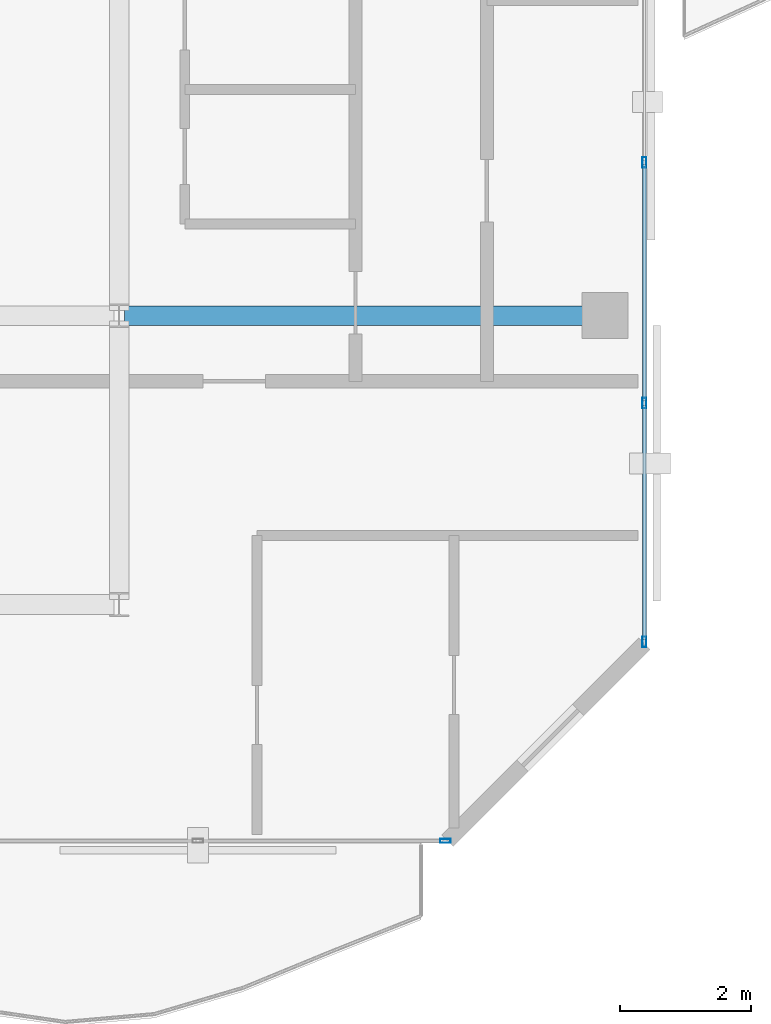
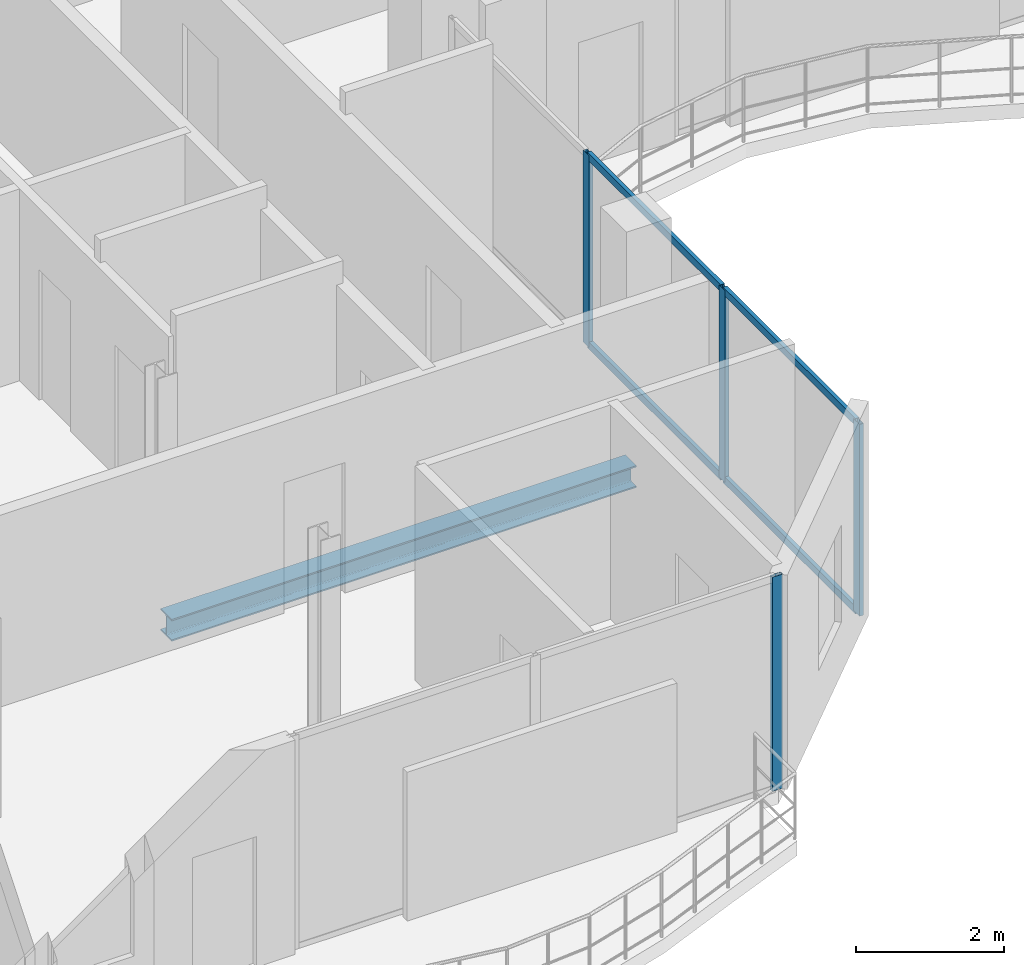
# One storey, part 7 of 22: 8 members, 1 beam, 2 elements without a shape of their own.
"""IFC4 building model written with IfcOpenShell, lengths in metres."""

import ifcopenshell
import ifcopenshell.guid

model = None  # the IFC model being written
_history = None  # IfcOwnerHistory: only IFC2X3 demands one
_inside = {}  # id of a spatial element -> (the spatial element, [elements in it])
_under = {}  # id of a project, library or spatial element -> (it, [spatial elements below it])
_declared = {}  # id of a project -> (the project, [libraries it declares])
_typed = {}  # id of a type object -> (the type object, [elements of that type])
_made_of = {}  # id of a material, layer set ... -> (it, [elements and type objects made of it])


def new_model(schema):
    """Start an empty IFC model of exactly this schema.

    Asked for "IFC4X3", IfcOpenShell would pick the latest addendum, in which some entities
    have other attributes; the version numbers below select the first issue.
    IFC2X3 requires an IfcOwnerHistory on every rooted entity: one is made here for all.
    """
    global model, _history
    if schema == "IFC4X3":
        model = ifcopenshell.file(schema_version=(4, 3, 0, 0))
    else:
        model = ifcopenshell.file(schema=schema)
    _inside.clear()
    _under.clear()
    _declared.clear()
    _typed.clear()
    _made_of.clear()
    _history = None
    if model.schema == "IFC2X3":
        org = make("IfcOrganization", Name="unknown")
        user = make(
            "IfcPersonAndOrganization",
            ThePerson=make("IfcPerson", FamilyName="unknown"),
            TheOrganization=org,
        )
        app = make(
            "IfcApplication",
            ApplicationDeveloper=org,
            Version="unknown",
            ApplicationFullName="unknown",
            ApplicationIdentifier="unknown",
        )
        _history = make(
            "IfcOwnerHistory",
            OwningUser=user,
            OwningApplication=app,
            ChangeAction="ADDED",
            CreationDate=0,
        )
    return model


def make(cls, **values):
    """One entity of the class cls with the attributes given. An attribute that is None is left unset."""
    return model.create_entity(
        cls, **{name: value for name, value in values.items() if value is not None}
    )


def rooted(cls, **values):
    """An entity with a GlobalId (a new one), such as an element, a storey or a relation."""
    return make(cls, GlobalId=ifcopenshell.guid.new(), OwnerHistory=_history, **values)


def si_unit(unit_type, name, prefix=None):
    """IfcSIUnit, for example si_unit("LENGTHUNIT", "METRE", prefix="MILLI")."""
    return make("IfcSIUnit", UnitType=unit_type, Prefix=prefix, Name=name)


def assignment(units):
    """IfcUnitAssignment: the units of a project."""
    return None if units is None else make("IfcUnitAssignment", Units=units)


def point(xyz):
    """IfcCartesianPoint."""
    return None if xyz is None else make("IfcCartesianPoint", Coordinates=xyz)


def direction(xyz):
    """IfcDirection."""
    return None if xyz is None else make("IfcDirection", DirectionRatios=xyz)


def frame(location, z_axis=None, x_axis=None):
    """IfcAxis2Placement3D, a coordinate frame: its origin and axes. An axis left out is left unset."""
    return make(
        "IfcAxis2Placement3D",
        Location=point(location),
        Axis=direction(z_axis),
        RefDirection=direction(x_axis),
    )


def frame_2d(location, x_axis=None):
    """IfcAxis2Placement2D, a coordinate frame in the plane: its origin and x axis."""
    return make(
        "IfcAxis2Placement2D", Location=point(location), RefDirection=direction(x_axis)
    )


def origin():
    """The frame at (0, 0, 0) with its axes left unset."""
    return frame((0.0, 0.0, 0.0))


def origin_2d():
    """The frame at (0, 0) in the plane with its x axis left unset."""
    return frame_2d((0.0, 0.0))


def place(relative_to, where):
    """IfcLocalPlacement: puts the frame where relative to a parent placement (None: the world)."""
    return make(
        "IfcLocalPlacement", PlacementRelTo=relative_to, RelativePlacement=where
    )


def context(
    kind, dimensions, precision=None, world=None, true_north=None, identifier=None
):
    """IfcGeometricRepresentationContext, for example the 3D "Model" context."""
    return make(
        "IfcGeometricRepresentationContext",
        ContextIdentifier=identifier,
        ContextType=kind,
        CoordinateSpaceDimension=dimensions,
        Precision=precision,
        WorldCoordinateSystem=world,
        TrueNorth=true_north,
    )


def subcontext(parent, identifier, kind, view, scale=None):
    """IfcGeometricRepresentationSubContext, for example "Body" below "Model"."""
    return make(
        "IfcGeometricRepresentationSubContext",
        ContextIdentifier=identifier,
        ContextType=kind,
        ParentContext=parent,
        TargetScale=scale,
        TargetView=view,
    )


def project(units=None, contexts=None):
    """IfcProject with its units and contexts."""
    return rooted(
        "IfcProject",
        Name="project",
        RepresentationContexts=contexts,
        UnitsInContext=assignment(units),
    )


def spatial(cls, under=None, at=None, **own):
    """A site, building, storey or space (cls), placed at a placement, below another one or the project."""
    s = rooted(cls, ObjectPlacement=at, **own)
    if under is not None:
        _under.setdefault(under.id(), (under, []))[1].append(s)
    return s


def profile(cls, at=None, kind="AREA", **sizes):
    """A parametric profile (cls). Its sizes go by their IFC names, for example OverallWidth=200.0."""
    return make(cls, ProfileType=kind, Position=at, **sizes)


def hollow_rectangle(**sizes):
    """IfcRectangleHollowProfileDef."""
    return profile("IfcRectangleHollowProfileDef", **sizes)


def i_section(**sizes):
    """IfcIShapeProfileDef."""
    return profile("IfcIShapeProfileDef", **sizes)


def extrude(swept, where, along, depth):
    """IfcExtrudedAreaSolid: the profile swept, set in the frame where, extruded along a direction by depth."""
    return make(
        "IfcExtrudedAreaSolid",
        SweptArea=swept,
        Position=where,
        ExtrudedDirection=direction(along),
        Depth=depth,
    )


def shape(context_of_items, identifier, shape_type, items):
    """IfcShapeRepresentation: the items that make up one representation, for example the "Body"."""
    return make(
        "IfcShapeRepresentation",
        ContextOfItems=context_of_items,
        RepresentationIdentifier=identifier,
        RepresentationType=shape_type,
        Items=items,
    )


def material(Name=None, Category=None):
    """IfcMaterial."""
    return make("IfcMaterial", Name=Name, Category=Category)


def layer(
    of_material, thickness, ventilated=None, Name=None, Category=None, Priority=None
):
    """IfcMaterialLayer: one layer of a wall or slab, of a material (None: an air gap)."""
    return make(
        "IfcMaterialLayer",
        Material=of_material,
        LayerThickness=thickness,
        IsVentilated=ventilated,
        Name=Name,
        Category=Category,
        Priority=Priority,
    )


def layer_set(layers, Name=None):
    """IfcMaterialLayerSet."""
    return make("IfcMaterialLayerSet", MaterialLayers=layers, LayerSetName=Name)


def material_profile(
    of_material, cross_section, Name=None, Category=None, Priority=None
):
    """IfcMaterialProfile: a cross section and its material."""
    return make(
        "IfcMaterialProfile",
        Name=Name,
        Material=of_material,
        Profile=cross_section,
        Priority=Priority,
        Category=Category,
    )


def profile_set(profiles, Name=None, composite=None):
    """IfcMaterialProfileSet."""
    return make(
        "IfcMaterialProfileSet",
        Name=Name,
        MaterialProfiles=profiles,
        CompositeProfile=composite,
    )


def made_of(thing, what):
    """Note that an element or type object is made of a material, layer set ...; save() writes the relation."""
    if what is not None:
        _made_of.setdefault(what.id(), (what, []))[1].append(thing)
    return thing


def type_object(cls, material=None, **own):
    """A type object (cls), such as IfcWallType, which elements share."""
    return made_of(rooted(cls, **own), material)


def element(
    cls,
    number,
    at=None,
    inside=None,
    cuts=None,
    type_object=None,
    material=None,
    context=None,
    identifier="Body",
    shape_type=None,
    held_by="IfcProductDefinitionShape",
    body=None,
    shapes=None,
    **own,
):
    """One element of the class cls, such as IfcWall. Its Tag is "e" and its number.

    at: its placement. inside: the storey or other place that contains it. cuts: it is an
    opening in that element (IfcRelVoidsElement). A single representation is given by context,
    identifier, shape_type and body (its items); several are given by shapes. held_by: the class
    of the entity that holds the representations. save() writes the other relations.
    """
    e = rooted(cls, Tag="e%d" % number, ObjectPlacement=at, **own)
    if body is not None:
        shapes = [shape(context, identifier, shape_type, body)]
    if shapes is not None:
        e.Representation = make(held_by, Representations=shapes)
    if inside is not None:
        _inside.setdefault(inside.id(), (inside, []))[1].append(e)
    if cuts is not None:
        rooted(
            "IfcRelVoidsElement", RelatingBuildingElement=cuts, RelatedOpeningElement=e
        )
    if type_object is not None:
        _typed.setdefault(type_object.id(), (type_object, []))[1].append(e)
    return made_of(e, material)


def aggregate(whole, parts):
    """IfcRelAggregates: a whole, such as a stair, and the parts it consists of."""
    return rooted("IfcRelAggregates", RelatingObject=whole, RelatedObjects=parts)


def save(model, path):
    """Write the relations noted so far, then the file.

    IfcRelAggregates (storeys below a building ...), IfcRelContainedInSpatialStructure (elements
    in a storey), IfcRelDefinesByType, IfcRelAssociatesMaterial and IfcRelDeclares: one each for
    every whole, place, type object, material and project.
    """
    for whole, parts in _under.values():
        aggregate(whole, parts)
    for where, things in _inside.values():
        rooted(
            "IfcRelContainedInSpatialStructure",
            RelatedElements=things,
            RelatingStructure=where,
        )
    for kind, things in _typed.values():
        rooted("IfcRelDefinesByType", RelatedObjects=things, RelatingType=kind)
    for what, things in _made_of.values():
        rooted("IfcRelAssociatesMaterial", RelatedObjects=things, RelatingMaterial=what)
    for by, libraries in _declared.values():
        rooted("IfcRelDeclares", RelatingContext=by, RelatedDefinitions=libraries)
    model.write(path)


model = new_model("IFC4")

# Units and contexts
model_context = context("Model", 3, precision=1e-05, world=origin(), true_north=direction((0.0, 1.0)))
body_context = subcontext(model_context, "Body", "Model", "MODEL_VIEW")
ifc_project = project(units=[si_unit("LENGTHUNIT", "METRE"), si_unit("AREAUNIT", "SQUARE_METRE"), si_unit("VOLUMEUNIT", "CUBIC_METRE"), si_unit("PLANEANGLEUNIT", "RADIAN"), si_unit("MASSUNIT", "GRAM", prefix="KILO")], contexts=[model_context])

# Site, building, storey
site_placement = place(None, origin())
site = spatial("IfcSite", under=ifc_project, at=site_placement, CompositionType="ELEMENT")
building_placement = place(site_placement, origin())
building = spatial("IfcBuilding", under=site, at=building_placement, Name="Catumbela Crestline Tower", CompositionType="ELEMENT")
storey_placement = place(building_placement, frame((0.0, 0.0, 256.4)))
storey = spatial("IfcBuildingStorey", under=building, at=storey_placement, Name="L66", CompositionType="ELEMENT", Elevation=256.4)

# Beam
ifc_material_1 = material(Name="Structural steel S355J2", Category="steel")
ifc_material_profile_1 = material_profile(ifc_material_1, i_section(OverallWidth=0.3, OverallDepth=0.36, WebThickness=0.0125, FlangeThickness=0.0225, FilletRadius=0.027, at=origin_2d()), Name="HEB 360")
ifc_profile_set_1 = profile_set([ifc_material_profile_1], Name="Structural steel S355J2")
beam_type = type_object("IfcBeamType", Name="BG-HEB360", PredefinedType="BEAM", material=ifc_profile_set_1)
beam_placement = place(storey_placement, frame((16.08, 18.0, -0.44), z_axis=(1.0, 0.0, 0.0), x_axis=(0.0, 1.0, 0.0)))
element("IfcBeam", 1, at=beam_placement, inside=storey, type_object=beam_type, Name="L66 Beam BM-L66-WEW29", PredefinedType="BEAM", context=body_context, shape_type="SweptSolid", body=[
    extrude(i_section(OverallWidth=0.3, OverallDepth=0.36, WebThickness=0.0125, FlangeThickness=0.0225, FilletRadius=0.027, at=origin_2d()), origin(), (0.0, 0.0, 1.0), 7.24),
])

# Curtain wall, member
ifc_material_2 = material(Name="Aluminium alloy AW-6060-T66", Category="aluminium")
ifc_layer = layer(ifc_material_2, 0.18, Name="Aluminium alloy AW-6060-T66")
ifc_layer_set = layer_set([ifc_layer], Name="Aluminium alloy AW-6060-T66")
curtain_wall_type = type_object("IfcCurtainWallType", Name="CWU-Z4", PredefinedType="USERDEFINED", material=ifc_layer_set)
curtain_wall_1_placement = place(storey_placement, origin())
curtain_wall_1 = element("IfcCurtainWall", 2, at=curtain_wall_1_placement, inside=storey, type_object=curtain_wall_type, Name="L66 Unitised Curtain Wall CW-L66-E0S2", ObjectType="UNITISED", PredefinedType="USERDEFINED")
ifc_material_profile_2 = material_profile(ifc_material_2, hollow_rectangle(XDim=0.06, YDim=0.16, WallThickness=0.004, at=origin_2d()), Name="ALU 160x60x4")
ifc_profile_set_2 = profile_set([ifc_material_profile_2], Name="Aluminium alloy AW-6060-T66")
member_type_1 = type_object("IfcMemberType", Name="MUL-160X60", PredefinedType="MULLION", material=ifc_profile_set_2)
member_1_placement = place(storey_placement, frame((20.9675, 10.0, 0.0), z_axis=(0.0, 0.0, 1.0), x_axis=(0.0, 1.0, 0.0)))
member_1 = element("IfcMember", 3, at=member_1_placement, type_object=member_type_1, Name="CWU-Z4 mullion 3", PredefinedType="MULLION", context=body_context, shape_type="SweptSolid", body=[
    extrude(hollow_rectangle(XDim=0.06, YDim=0.16, WallThickness=0.004, at=origin_2d()), origin(), (0.0, 0.0, 1.0), 3.53),
])
aggregate(curtain_wall_1, [member_1])

# Curtain wall, members
curtain_wall_2_placement = place(storey_placement, origin())
curtain_wall_2 = element("IfcCurtainWall", 4, at=curtain_wall_2_placement, inside=storey, type_object=curtain_wall_type, Name="L66 Unitised Curtain Wall CW-L66-E2S1", ObjectType="UNITISED", PredefinedType="USERDEFINED")
member_2_placement = place(storey_placement, frame((24.0, 13.0325, 0.0), z_axis=(0.0, 0.0, 1.0), x_axis=(-1.0, 0.0, 0.0)))
member_2 = element("IfcMember", 5, at=member_2_placement, type_object=member_type_1, Name="CWU-Z4 mullion 1", PredefinedType="MULLION", context=body_context, shape_type="SweptSolid", body=[
    extrude(hollow_rectangle(XDim=0.06, YDim=0.16, WallThickness=0.004, at=origin_2d()), origin(), (0.0, 0.0, 1.0), 3.16),
])
member_3_placement = place(storey_placement, frame((24.0, 16.6667, 0.0), z_axis=(0.0, 0.0, 1.0), x_axis=(-1.0, 0.0, 0.0)))
member_3 = element("IfcMember", 6, at=member_3_placement, type_object=member_type_1, Name="CWU-Z4 mullion 2", PredefinedType="MULLION", context=body_context, shape_type="SweptSolid", body=[
    extrude(hollow_rectangle(XDim=0.06, YDim=0.16, WallThickness=0.004, at=origin_2d()), origin(), (0.0, 0.0, 1.0), 3.16),
])
member_4_placement = place(storey_placement, frame((24.0, 20.3333, 0.0), z_axis=(0.0, 0.0, 1.0), x_axis=(-1.0, 0.0, 0.0)))
member_4 = element("IfcMember", 7, at=member_4_placement, type_object=member_type_1, Name="CWU-Z4 mullion 3", PredefinedType="MULLION", context=body_context, shape_type="SweptSolid", body=[
    extrude(hollow_rectangle(XDim=0.06, YDim=0.16, WallThickness=0.004, at=origin_2d()), origin(), (0.0, 0.0, 1.0), 3.16),
])
ifc_material_profile_3 = material_profile(ifc_material_2, hollow_rectangle(XDim=0.06, YDim=0.12, WallThickness=0.0035, at=origin_2d()), Name="ALU 120x60x3.5")
ifc_profile_set_3 = profile_set([ifc_material_profile_3], Name="Aluminium alloy AW-6060-T66")
member_type_2 = type_object("IfcMemberType", Name="TRN-120X60", PredefinedType="USERDEFINED", material=ifc_profile_set_3)
member_5_placement = place(storey_placement, frame((24.0, 13.065, 0.03), z_axis=(0.0, 1.0, 0.0), x_axis=(-1.0, 0.0, 0.0)))
member_5 = element("IfcMember", 8, at=member_5_placement, type_object=member_type_2, Name="CWU-Z4 transom 1.1", ObjectType="TRANSOM", PredefinedType="USERDEFINED", context=body_context, shape_type="SweptSolid", body=[
    extrude(hollow_rectangle(XDim=0.06, YDim=0.12, WallThickness=0.0035, at=origin_2d()), origin(), (0.0, 0.0, 1.0), 3.5692),
])
member_6_placement = place(storey_placement, frame((24.0, 13.065, 3.13), z_axis=(0.0, 1.0, 0.0), x_axis=(-1.0, 0.0, 0.0)))
member_6 = element("IfcMember", 9, at=member_6_placement, type_object=member_type_2, Name="CWU-Z4 transom 1.2", ObjectType="TRANSOM", PredefinedType="USERDEFINED", context=body_context, shape_type="SweptSolid", body=[
    extrude(hollow_rectangle(XDim=0.06, YDim=0.12, WallThickness=0.0035, at=origin_2d()), origin(), (0.0, 0.0, 1.0), 3.5692),
])
member_7_placement = place(storey_placement, frame((24.0, 16.6992, 0.03), z_axis=(0.0, 1.0, 0.0), x_axis=(-1.0, 0.0, 0.0)))
member_7 = element("IfcMember", 10, at=member_7_placement, type_object=member_type_2, Name="CWU-Z4 transom 2.1", ObjectType="TRANSOM", PredefinedType="USERDEFINED", context=body_context, shape_type="SweptSolid", body=[
    extrude(hollow_rectangle(XDim=0.06, YDim=0.12, WallThickness=0.0035, at=origin_2d()), origin(), (0.0, 0.0, 1.0), 3.6016),
])
member_8_placement = place(storey_placement, frame((24.0, 16.6992, 3.13), z_axis=(0.0, 1.0, 0.0), x_axis=(-1.0, 0.0, 0.0)))
member_8 = element("IfcMember", 11, at=member_8_placement, type_object=member_type_2, Name="CWU-Z4 transom 2.2", ObjectType="TRANSOM", PredefinedType="USERDEFINED", context=body_context, shape_type="SweptSolid", body=[
    extrude(hollow_rectangle(XDim=0.06, YDim=0.12, WallThickness=0.0035, at=origin_2d()), origin(), (0.0, 0.0, 1.0), 3.6016),
])
aggregate(curtain_wall_2, [member_2, member_3, member_4, member_5, member_6, member_7, member_8])

save(model, "model.ifc")
